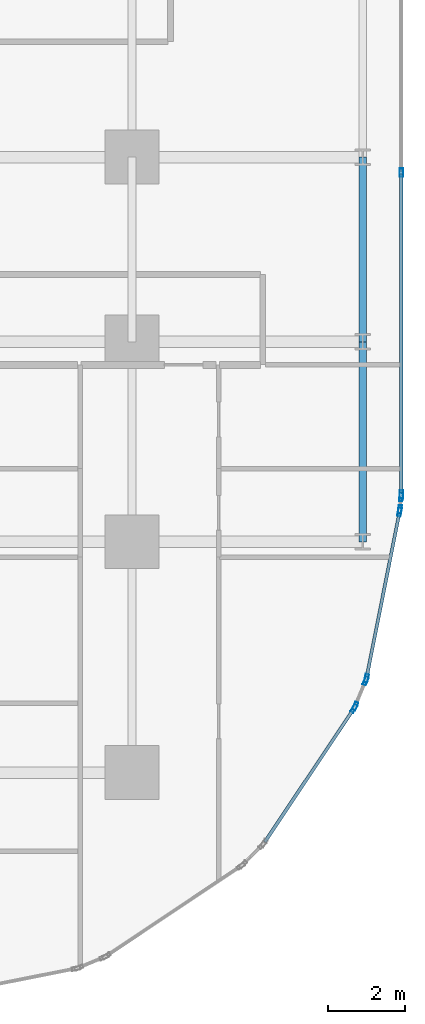
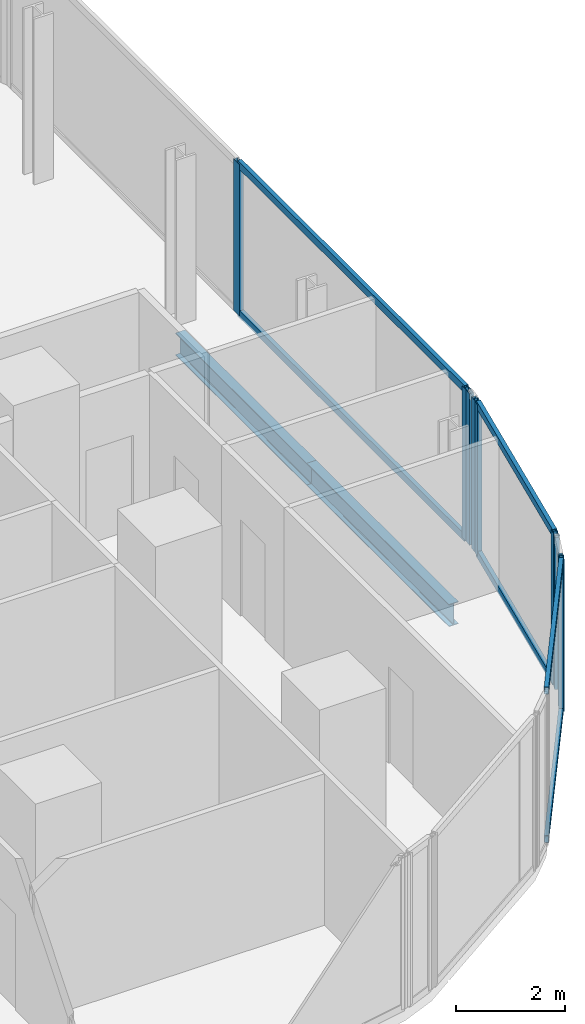
# One storey, part 18 of 33: 15 members, 2 beams, 5 elements without a shape of their own.
"""IFC4 building model written with IfcOpenShell, lengths in metres."""

from ifc_helpers import new_model, si_unit, direction, frame, origin, origin_2d, place, context, subcontext, project, spatial, hollow_rectangle, i_section, extrude, material, layer, layer_set, material_profile, profile_set, type_object, element, aggregate, save


model = new_model("IFC4")

# Units and contexts
model_context = context("Model", 3, precision=1e-05, world=origin(), true_north=direction((0.0, 1.0)))
body_context = subcontext(model_context, "Body", "Model", "MODEL_VIEW")
ifc_project = project(units=[si_unit("LENGTHUNIT", "METRE"), si_unit("AREAUNIT", "SQUARE_METRE"), si_unit("VOLUMEUNIT", "CUBIC_METRE"), si_unit("PLANEANGLEUNIT", "RADIAN"), si_unit("MASSUNIT", "GRAM", prefix="KILO")], contexts=[model_context])

# Site, building, storey
site_placement = place(None, origin())
site = spatial("IfcSite", under=ifc_project, at=site_placement, CompositionType="ELEMENT")
building_placement = place(site_placement, origin())
building = spatial("IfcBuilding", under=site, at=building_placement, Name="Keshet Zoharim Tower", CompositionType="ELEMENT")
storey_placement = place(building_placement, frame((0.0, 0.0, 49.89990234375)))
storey = spatial("IfcBuildingStorey", under=building, at=storey_placement, Name="L11", CompositionType="ELEMENT", Elevation=49.89990234375)

# Beams
ifc_material_1 = material(Name="Steel S355", Category="steel")
ifc_material_profile_1 = material_profile(ifc_material_1, i_section(OverallWidth=0.199951171875, OverallDepth=0.5, WebThickness=0.01025390625, FlangeThickness=0.01611328125, FilletRadius=0.02099609375, at=origin_2d()), Name="IPE500")
ifc_profile_set_1 = profile_set([ifc_material_profile_1], Name="Steel S355")
beam_type = type_object("IfcBeamType", Name="BM-PRI-IP500", PredefinedType="BEAM", material=ifc_profile_set_1)
beam_1_placement = place(storey_placement, frame((69.0, 12.699951171875, -0.56494140625), z_axis=(0.0, 1.0, 0.0), x_axis=(-1.0, 0.0, 0.0)))
element("IfcBeam", 1, at=beam_1_placement, inside=storey, type_object=beam_type, Name="L11 Primary Girder Y-023", PredefinedType="BEAM", context=body_context, shape_type="SweptSolid", body=[
    extrude(i_section(OverallWidth=0.199951171875, OverallDepth=0.5, WebThickness=0.01025390625, FlangeThickness=0.01611328125, FilletRadius=0.02099609375, at=origin_2d()), origin(), (0.0, 0.0, 1.0), 5.199951171875),
])
beam_2_placement = place(storey_placement, frame((69.0, 17.89990234375, -0.56494140625), z_axis=(0.0, 1.0, 0.0), x_axis=(-1.0, 0.0, 0.0)))
element("IfcBeam", 2, at=beam_2_placement, inside=storey, type_object=beam_type, Name="L11 Primary Girder Y-024", PredefinedType="BEAM", context=body_context, shape_type="SweptSolid", body=[
    extrude(i_section(OverallWidth=0.199951171875, OverallDepth=0.5, WebThickness=0.01025390625, FlangeThickness=0.01611328125, FilletRadius=0.02099609375, at=origin_2d()), origin(), (0.0, 0.0, 1.0), 4.800048828125),
])

# Curtain wall, members
ifc_material_2 = material(Name="Aluminium 6063-T6", Category="aluminium")
ifc_layer_1 = layer(ifc_material_2, 0.169921875)
ifc_layer_set_1 = layer_set([ifc_layer_1], Name="Aluminium 6063-T6")
curtain_wall_type_1 = type_object("IfcCurtainWallType", Name="CW-SYS-02", PredefinedType="NOTDEFINED", material=ifc_layer_set_1)
curtain_wall_1_placement = place(storey_placement, origin())
curtain_wall_1 = element("IfcCurtainWall", 3, at=curtain_wall_1_placement, inside=storey, type_object=curtain_wall_type_1, Name="L11 Unitised Curtain Wall 16", PredefinedType="NOTDEFINED")
ifc_material_profile_2 = material_profile(ifc_material_2, hollow_rectangle(XDim=0.090087890625, YDim=0.219970703125, WallThickness=0.0048828125, at=origin_2d()), Name="MUL-90x220")
ifc_profile_set_2 = profile_set([ifc_material_profile_2], Name="Aluminium 6063-T6")
member_type_1 = type_object("IfcMemberType", Name="CWM-M22", PredefinedType="MULLION", material=ifc_profile_set_2)
member_1_placement = place(storey_placement, frame((70.0, 22.298583984375, 0.0), z_axis=(0.0, 0.0, 1.0), x_axis=(1.0, 0.0, 0.0)))
member_1 = element("IfcMember", 4, at=member_1_placement, type_object=member_type_1, Name="CW-02 mullion 2", PredefinedType="MULLION", context=body_context, shape_type="SweptSolid", body=[
    extrude(hollow_rectangle(XDim=0.090087890625, YDim=0.219970703125, WallThickness=0.0048828125, at=origin_2d()), origin(), (0.0, 0.0, 1.0), 3.385009765625),
])
member_2_placement = place(storey_placement, frame((70.0, 13.931884765625, 0.0), z_axis=(0.0, 0.0, 1.0), x_axis=(1.0, 0.0, 0.0)))
member_2 = element("IfcMember", 5, at=member_2_placement, type_object=member_type_1, Name="CW-02 mullion 3", PredefinedType="MULLION", context=body_context, shape_type="SweptSolid", body=[
    extrude(hollow_rectangle(XDim=0.090087890625, YDim=0.219970703125, WallThickness=0.0048828125, at=origin_2d()), origin(), (0.0, 0.0, 1.0), 3.385009765625),
])

curtain_wall_2_placement = place(storey_placement, origin())
curtain_wall_2 = element("IfcCurtainWall", 6, at=curtain_wall_2_placement, inside=storey, type_object=curtain_wall_type_1, Name="L11 Unitised Curtain Wall 17", PredefinedType="NOTDEFINED")
member_3_placement = place(storey_placement, frame((69.99658203125, 13.862060546875, 0.0), z_axis=(0.0, 0.0, 1.0), x_axis=(0.995286657009, -0.096976648633, 0.0)))
member_3 = element("IfcMember", 7, at=member_3_placement, type_object=member_type_1, Name="CW-02 mullion 1", PredefinedType="MULLION", context=body_context, shape_type="SweptSolid", body=[
    extrude(hollow_rectangle(XDim=0.090087890625, YDim=0.219970703125, WallThickness=0.0048828125, at=origin_2d()), origin(), (0.0, 0.0, 1.0), 3.385009765625),
])
member_4_placement = place(storey_placement, frame((69.96533203125, 13.541748046875, 0.0), z_axis=(0.0, 0.0, 1.0), x_axis=(0.995286657009, -0.096976648633, 0.0)))
member_4 = element("IfcMember", 8, at=member_4_placement, type_object=member_type_1, Name="CW-02 mullion 2", PredefinedType="MULLION", context=body_context, shape_type="SweptSolid", body=[
    extrude(hollow_rectangle(XDim=0.090087890625, YDim=0.219970703125, WallThickness=0.0048828125, at=origin_2d()), origin(), (0.0, 0.0, 1.0), 3.385009765625),
])
aggregate(curtain_wall_2, [member_3, member_4])

curtain_wall_3_placement = place(storey_placement, origin())
curtain_wall_3 = element("IfcCurtainWall", 9, at=curtain_wall_3_placement, inside=storey, type_object=curtain_wall_type_1, Name="L11 Unitised Curtain Wall 18", PredefinedType="NOTDEFINED")
member_5_placement = place(storey_placement, frame((69.955078125, 13.47265625, 0.0), z_axis=(0.0, 0.0, 1.0), x_axis=(0.98076917357, -0.195171279072, 0.0)))
member_5 = element("IfcMember", 10, at=member_5_placement, type_object=member_type_1, Name="CW-02 mullion 1", PredefinedType="MULLION", context=body_context, shape_type="SweptSolid", body=[
    extrude(hollow_rectangle(XDim=0.090087890625, YDim=0.219970703125, WallThickness=0.0048828125, at=origin_2d()), origin(), (0.0, 0.0, 1.0), 3.385009765625),
])
member_6_placement = place(storey_placement, frame((69.0947265625, 9.1494140625, 0.0), z_axis=(0.0, 0.0, 1.0), x_axis=(0.98076917357, -0.195171279072, 0.0)))
member_6 = element("IfcMember", 11, at=member_6_placement, type_object=member_type_1, Name="CW-02 mullion 2", PredefinedType="MULLION", context=body_context, shape_type="SweptSolid", body=[
    extrude(hollow_rectangle(XDim=0.090087890625, YDim=0.219970703125, WallThickness=0.0048828125, at=origin_2d()), origin(), (0.0, 0.0, 1.0), 3.385009765625),
])

ifc_layer_2 = layer(ifc_material_2, 0.179931640625)
ifc_layer_set_2 = layer_set([ifc_layer_2], Name="Aluminium 6063-T6")
curtain_wall_type_2 = type_object("IfcCurtainWallType", Name="CW-SYS-01", PredefinedType="NOTDEFINED", material=ifc_layer_set_2)
curtain_wall_4_placement = place(storey_placement, origin())
curtain_wall_4 = element("IfcCurtainWall", 12, at=curtain_wall_4_placement, inside=storey, type_object=curtain_wall_type_2, Name="L11 Unitised Curtain Wall 19", PredefinedType="NOTDEFINED")
member_7_placement = place(storey_placement, frame((69.07470703125, 9.082763671875, 0.0), z_axis=(0.0, 0.0, 1.0), x_axis=(0.923720000557, -0.383068349739, 0.0)))
member_7 = element("IfcMember", 13, at=member_7_placement, type_object=member_type_1, Name="CW-01 mullion 1", PredefinedType="MULLION", context=body_context, shape_type="SweptSolid", body=[
    extrude(hollow_rectangle(XDim=0.090087890625, YDim=0.219970703125, WallThickness=0.0048828125, at=origin_2d()), origin(), (0.0, 0.0, 1.0), 3.385009765625),
])
member_8_placement = place(storey_placement, frame((68.802490234375, 8.42626953125, 0.0), z_axis=(0.0, 0.0, 1.0), x_axis=(0.923720000557, -0.383068349739, 0.0)))
member_8 = element("IfcMember", 14, at=member_8_placement, type_object=member_type_1, Name="CW-01 mullion 2", PredefinedType="MULLION", context=body_context, shape_type="SweptSolid", body=[
    extrude(hollow_rectangle(XDim=0.090087890625, YDim=0.219970703125, WallThickness=0.0048828125, at=origin_2d()), origin(), (0.0, 0.0, 1.0), 3.385009765625),
])
aggregate(curtain_wall_4, [member_7, member_8])

# Curtain wall, member
curtain_wall_5_placement = place(storey_placement, origin())
curtain_wall_5 = element("IfcCurtainWall", 15, at=curtain_wall_5_placement, inside=storey, type_object=curtain_wall_type_2, Name="L11 Unitised Curtain Wall 20", PredefinedType="NOTDEFINED")
member_9_placement = place(storey_placement, frame((68.76953125, 8.364990234375, 0.0), z_axis=(0.0, 0.0, 1.0), x_axis=(0.831474282335, -0.555563243758, 0.0)))
member_9 = element("IfcMember", 16, at=member_9_placement, type_object=member_type_1, Name="CW-01 mullion 1", PredefinedType="MULLION", context=body_context, shape_type="SweptSolid", body=[
    extrude(hollow_rectangle(XDim=0.090087890625, YDim=0.219970703125, WallThickness=0.0048828125, at=origin_2d()), origin(), (0.0, 0.0, 1.0), 3.385009765625),
])

# Member
ifc_material_profile_3 = material_profile(ifc_material_2, hollow_rectangle(XDim=0.0849609375, YDim=0.159912109375, WallThickness=0.00439453125, at=origin_2d()), Name="TRN-85x160")
ifc_profile_set_3 = profile_set([ifc_material_profile_3], Name="Aluminium 6063-T6")
member_type_2 = type_object("IfcMemberType", Name="CWT-T16", PredefinedType="USERDEFINED", material=ifc_profile_set_3)
member_10_placement = place(storey_placement, frame((70.0, 22.263427734375, 0.03515625), z_axis=(0.0, -1.0, 0.0), x_axis=(1.0, 0.0, 0.0)))
member_10 = element("IfcMember", 17, at=member_10_placement, type_object=member_type_2, Name="CW-02 transom 2.1", ObjectType="TRANSOM", PredefinedType="USERDEFINED", context=body_context, shape_type="SweptSolid", body=[
    extrude(hollow_rectangle(XDim=0.0849609375, YDim=0.159912109375, WallThickness=0.00439453125, at=origin_2d()), origin(), (0.0, 0.0, 1.0), 8.29638671875),
])

member_11_placement = place(storey_placement, frame((70.0, 22.263427734375, 3.35009765625), z_axis=(0.0, -1.0, 0.0), x_axis=(1.0, 0.0, 0.0)))
member_11 = element("IfcMember", 18, at=member_11_placement, type_object=member_type_2, Name="CW-02 transom 2.2", ObjectType="TRANSOM", PredefinedType="USERDEFINED", context=body_context, shape_type="SweptSolid", body=[
    extrude(hollow_rectangle(XDim=0.0849609375, YDim=0.159912109375, WallThickness=0.00439453125, at=origin_2d()), origin(), (0.0, 0.0, 1.0), 8.29638671875),
])

aggregate(curtain_wall_1, [member_1, member_2, member_10, member_11])

member_12_placement = place(storey_placement, frame((69.9482421875, 13.438232421875, 0.03515625), z_axis=(-0.195174459131, -0.980768540739, 0.0), x_axis=(0.980768540739, -0.195174459131, 0.0)))
member_12 = element("IfcMember", 19, at=member_12_placement, type_object=member_type_2, Name="CW-02 transom 1.1", ObjectType="TRANSOM", PredefinedType="USERDEFINED", context=body_context, shape_type="SweptSolid", body=[
    extrude(hollow_rectangle(XDim=0.0849609375, YDim=0.159912109375, WallThickness=0.00439453125, at=origin_2d()), origin(), (0.0, 0.0, 1.0), 4.338134765625),
])

member_13_placement = place(storey_placement, frame((69.9482421875, 13.438232421875, 3.35009765625), z_axis=(-0.195174459131, -0.980768540739, 0.0), x_axis=(0.980768540739, -0.195174459131, 0.0)))
member_13 = element("IfcMember", 20, at=member_13_placement, type_object=member_type_2, Name="CW-02 transom 1.2", ObjectType="TRANSOM", PredefinedType="USERDEFINED", context=body_context, shape_type="SweptSolid", body=[
    extrude(hollow_rectangle(XDim=0.0849609375, YDim=0.159912109375, WallThickness=0.00439453125, at=origin_2d()), origin(), (0.0, 0.0, 1.0), 4.338134765625),
])

aggregate(curtain_wall_3, [member_5, member_6, member_12, member_13])

member_14_placement = place(storey_placement, frame((68.75, 8.335693359375, 0.03515625), z_axis=(-0.55555796544, -0.831477809106, 0.0), x_axis=(0.831477809106, -0.55555796544, 0.0)))
member_14 = element("IfcMember", 21, at=member_14_placement, type_object=member_type_2, Name="CW-01 transom 1.1", ObjectType="TRANSOM", PredefinedType="USERDEFINED", context=body_context, shape_type="SweptSolid", body=[
    extrude(hollow_rectangle(XDim=0.0849609375, YDim=0.159912109375, WallThickness=0.00439453125, at=origin_2d()), origin(), (0.0, 0.0, 1.0), 4.136474609375),
])

member_15_placement = place(storey_placement, frame((68.75, 8.335693359375, 3.35009765625), z_axis=(-0.55555796544, -0.831477809106, 0.0), x_axis=(0.831477809106, -0.55555796544, 0.0)))
member_15 = element("IfcMember", 22, at=member_15_placement, type_object=member_type_2, Name="CW-01 transom 1.2", ObjectType="TRANSOM", PredefinedType="USERDEFINED", context=body_context, shape_type="SweptSolid", body=[
    extrude(hollow_rectangle(XDim=0.0849609375, YDim=0.159912109375, WallThickness=0.00439453125, at=origin_2d()), origin(), (0.0, 0.0, 1.0), 4.136474609375),
])

aggregate(curtain_wall_5, [member_9, member_14, member_15])

save(model, "model.ifc")
